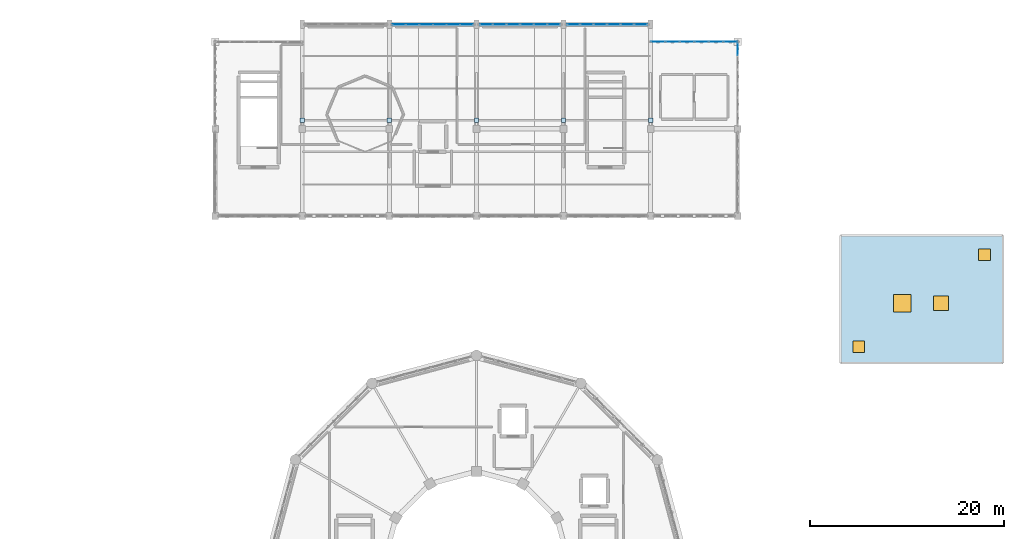
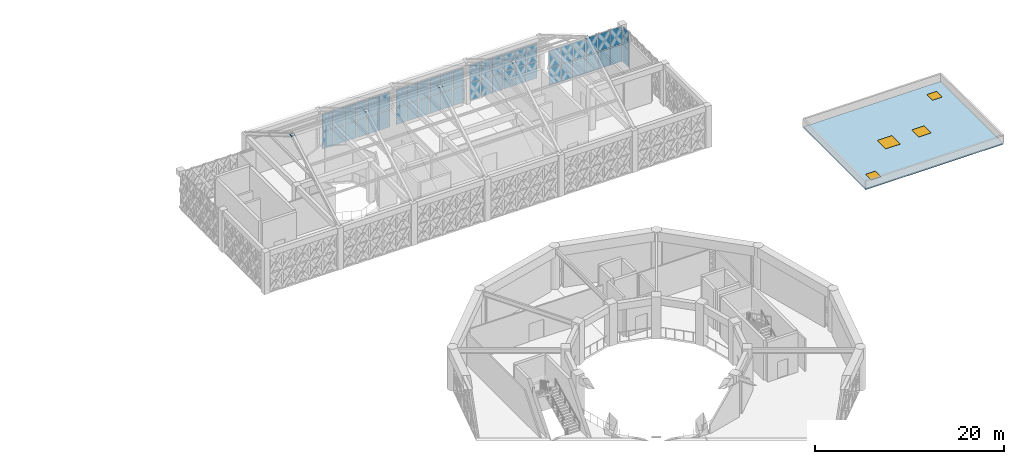
# One storey, part 63 of 72: 55 plates, 2 doors, 2 windows, 1 slab, 4 openings, 5 elements without a shape of their own.
"""IFC4 building model written with IfcOpenShell, lengths in metres."""

from ifc_helpers import new_model, si_unit, direction, frame, origin, origin_2d, place, context, subcontext, project, spatial, polyline, rectangle, outline, extrude, material, layer, layer_set, type_object, element, fill, aggregate, save


model = new_model("IFC4")

# Units and contexts
model_context = context("Model", 3, precision=1e-05, world=origin(), true_north=direction((0.0, 1.0)))
body_context = subcontext(model_context, "Body", "Model", "MODEL_VIEW")
ifc_project = project(units=[si_unit("LENGTHUNIT", "METRE"), si_unit("AREAUNIT", "SQUARE_METRE"), si_unit("VOLUMEUNIT", "CUBIC_METRE"), si_unit("PLANEANGLEUNIT", "RADIAN"), si_unit("MASSUNIT", "GRAM", prefix="KILO")], contexts=[model_context])

# Site, building, storey
site_placement = place(None, origin())
site = spatial("IfcSite", under=ifc_project, at=site_placement, CompositionType="ELEMENT")
building_placement = place(site_placement, origin())
building = spatial("IfcBuilding", under=site, at=building_placement, Name="Haizhuo Lancet Aquarium", CompositionType="ELEMENT")
storey_placement = place(building_placement, frame((0.0, 0.0, 21.60009765625)))
storey = spatial("IfcBuildingStorey", under=building, at=storey_placement, Name="L04", CompositionType="ELEMENT", Elevation=21.60009765625)

# Curtain wall, plates
ifc_material_1 = material(Name="Aluminium 6063-T6", Category="aluminium")
curtain_wall_type_1 = type_object("IfcCurtainWallType", Name="CWD-9000x4650", PredefinedType="NOTDEFINED", material=ifc_material_1)
curtain_wall_1_placement = place(storey_placement, origin())
curtain_wall_1 = element("IfcCurtainWall", 1, at=curtain_wall_1_placement, inside=storey, type_object=curtain_wall_type_1, Name="L04 curtain wall CW-V5-L04-181", PredefinedType="NOTDEFINED")
ifc_material_2 = material(Name="Laminated Low-E Glass", Category="glass")
ifc_layer_1 = layer(ifc_material_2, 0.028076171875)
ifc_layer_set_1 = layer_set([ifc_layer_1], Name="Laminated Low-E Glass")
plate_type_1 = type_object("IfcPlateType", Name="CW-PNL-1", PredefinedType="CURTAIN_PANEL", material=ifc_layer_set_1)
plate_1_placement = place(storey_placement, frame((18.76611328125, 54.0, 0.06494140625), z_axis=(0.0, 0.0, 1.0), x_axis=(1.0, 0.0, 0.0)))
plate_1 = element("IfcPlate", 2, at=plate_1_placement, type_object=plate_type_1, Name="CWD-90x46 panel 1.1", PredefinedType="CURTAIN_PANEL", context=body_context, shape_type="SweptSolid", body=[
    extrude(rectangle(XDim=1.403076171875, YDim=0.028076171875, at=origin_2d()), origin(), (0.0, 0.0, 1.0), 2.22802734375),
])
plate_2_placement = place(storey_placement, frame((18.76611328125, 54.0, 2.35693359375), z_axis=(0.0, 0.0, 1.0), x_axis=(1.0, 0.0, 0.0)))
plate_2 = element("IfcPlate", 3, at=plate_2_placement, type_object=plate_type_1, Name="CWD-90x46 panel 1.2", PredefinedType="CURTAIN_PANEL", context=body_context, shape_type="SweptSolid", body=[
    extrude(rectangle(XDim=1.403076171875, YDim=0.028076171875, at=origin_2d()), origin(), (0.0, 0.0, 1.0), 2.22802734375),
])
plate_3_placement = place(storey_placement, frame((20.25, 54.0, 0.06494140625), z_axis=(0.0, 0.0, 1.0), x_axis=(1.0, 0.0, 0.0)))
plate_3 = element("IfcPlate", 4, at=plate_3_placement, type_object=plate_type_1, Name="CWD-90x46 panel 2.1", PredefinedType="CURTAIN_PANEL", context=body_context, shape_type="SweptSolid", body=[
    extrude(rectangle(XDim=1.43505859375, YDim=0.028076171875, at=origin_2d()), origin(), (0.0, 0.0, 1.0), 2.22802734375),
])
plate_4_placement = place(storey_placement, frame((20.25, 54.0, 2.35693359375), z_axis=(0.0, 0.0, 1.0), x_axis=(1.0, 0.0, 0.0)))
plate_4 = element("IfcPlate", 5, at=plate_4_placement, type_object=plate_type_1, Name="CWD-90x46 panel 2.2", PredefinedType="CURTAIN_PANEL", context=body_context, shape_type="SweptSolid", body=[
    extrude(rectangle(XDim=1.43505859375, YDim=0.028076171875, at=origin_2d()), origin(), (0.0, 0.0, 1.0), 2.22802734375),
])
plate_5_placement = place(storey_placement, frame((21.75, 54.0, 0.06494140625), z_axis=(0.0, 0.0, 1.0), x_axis=(1.0, 0.0, 0.0)))
plate_5 = element("IfcPlate", 6, at=plate_5_placement, type_object=plate_type_1, Name="CWD-90x46 panel 3.1", PredefinedType="CURTAIN_PANEL", context=body_context, shape_type="SweptSolid", body=[
    extrude(rectangle(XDim=1.43505859375, YDim=0.028076171875, at=origin_2d()), origin(), (0.0, 0.0, 1.0), 2.22802734375),
])
plate_6_placement = place(storey_placement, frame((21.75, 54.0, 2.35693359375), z_axis=(0.0, 0.0, 1.0), x_axis=(1.0, 0.0, 0.0)))
plate_6 = element("IfcPlate", 7, at=plate_6_placement, type_object=plate_type_1, Name="CWD-90x46 panel 3.2", PredefinedType="CURTAIN_PANEL", context=body_context, shape_type="SweptSolid", body=[
    extrude(rectangle(XDim=1.43505859375, YDim=0.028076171875, at=origin_2d()), origin(), (0.0, 0.0, 1.0), 2.22802734375),
])
plate_7_placement = place(storey_placement, frame((23.25, 54.0, 0.06494140625), z_axis=(0.0, 0.0, 1.0), x_axis=(1.0, 0.0, 0.0)))
plate_7 = element("IfcPlate", 8, at=plate_7_placement, type_object=plate_type_1, Name="CWD-90x46 panel 4.1", PredefinedType="CURTAIN_PANEL", context=body_context, shape_type="SweptSolid", body=[
    extrude(rectangle(XDim=1.43505859375, YDim=0.028076171875, at=origin_2d()), origin(), (0.0, 0.0, 1.0), 2.22802734375),
])
plate_8_placement = place(storey_placement, frame((23.25, 54.0, 2.35693359375), z_axis=(0.0, 0.0, 1.0), x_axis=(1.0, 0.0, 0.0)))
plate_8 = element("IfcPlate", 9, at=plate_8_placement, type_object=plate_type_1, Name="CWD-90x46 panel 4.2", PredefinedType="CURTAIN_PANEL", context=body_context, shape_type="SweptSolid", body=[
    extrude(rectangle(XDim=1.43505859375, YDim=0.028076171875, at=origin_2d()), origin(), (0.0, 0.0, 1.0), 2.22802734375),
])
plate_9_placement = place(storey_placement, frame((24.75, 54.0, 0.06494140625), z_axis=(0.0, 0.0, 1.0), x_axis=(1.0, 0.0, 0.0)))
plate_9 = element("IfcPlate", 10, at=plate_9_placement, type_object=plate_type_1, Name="CWD-90x46 panel 5.1", PredefinedType="CURTAIN_PANEL", context=body_context, shape_type="SweptSolid", body=[
    extrude(rectangle(XDim=1.43505859375, YDim=0.028076171875, at=origin_2d()), origin(), (0.0, 0.0, 1.0), 2.22802734375),
])
plate_10_placement = place(storey_placement, frame((24.75, 54.0, 2.35693359375), z_axis=(0.0, 0.0, 1.0), x_axis=(1.0, 0.0, 0.0)))
plate_10 = element("IfcPlate", 11, at=plate_10_placement, type_object=plate_type_1, Name="CWD-90x46 panel 5.2", PredefinedType="CURTAIN_PANEL", context=body_context, shape_type="SweptSolid", body=[
    extrude(rectangle(XDim=1.43505859375, YDim=0.028076171875, at=origin_2d()), origin(), (0.0, 0.0, 1.0), 2.22802734375),
])
plate_11_placement = place(storey_placement, frame((26.23388671875, 54.0, 0.06494140625), z_axis=(0.0, 0.0, 1.0), x_axis=(1.0, 0.0, 0.0)))
plate_11 = element("IfcPlate", 12, at=plate_11_placement, type_object=plate_type_1, Name="CWD-90x46 panel 6.1", PredefinedType="CURTAIN_PANEL", context=body_context, shape_type="SweptSolid", body=[
    extrude(rectangle(XDim=1.402099609375, YDim=0.028076171875, at=origin_2d()), origin(), (0.0, 0.0, 1.0), 2.22802734375),
])
plate_12_placement = place(storey_placement, frame((26.23388671875, 54.0, 2.35693359375), z_axis=(0.0, 0.0, 1.0), x_axis=(1.0, 0.0, 0.0)))
plate_12 = element("IfcPlate", 13, at=plate_12_placement, type_object=plate_type_1, Name="CWD-90x46 panel 6.2", PredefinedType="CURTAIN_PANEL", context=body_context, shape_type="SweptSolid", body=[
    extrude(rectangle(XDim=1.402099609375, YDim=0.028076171875, at=origin_2d()), origin(), (0.0, 0.0, 1.0), 2.22802734375),
])
aggregate(curtain_wall_1, [plate_1, plate_2, plate_3, plate_4, plate_5, plate_6, plate_7, plate_8, plate_9, plate_10, plate_11, plate_12])

curtain_wall_type_2 = type_object("IfcCurtainWallType", Name="CWD-8410x4650", PredefinedType="NOTDEFINED", material=ifc_material_1)
curtain_wall_2_placement = place(storey_placement, origin())
curtain_wall_2 = element("IfcCurtainWall", 14, at=curtain_wall_2_placement, inside=storey, type_object=curtain_wall_type_2, Name="L04 curtain wall CW-V5-L04-178", PredefinedType="NOTDEFINED")
ifc_layer_2 = layer(ifc_material_2, 0.033935546875)
ifc_layer_set_2 = layer_set([ifc_layer_2], Name="Laminated Low-E Glass")
plate_type_2 = type_object("IfcPlateType", Name="CW-PNL-2", PredefinedType="CURTAIN_PANEL", material=ifc_layer_set_2)
plate_13_placement = place(storey_placement, frame((-7.988037109375, 55.800048828125, 0.06494140625), z_axis=(0.0, 0.0, 1.0), x_axis=(1.0, 0.0, 0.0)))
plate_13 = element("IfcPlate", 15, at=plate_13_placement, type_object=plate_type_2, Name="CWD-84x46 panel 1.1", PredefinedType="CURTAIN_PANEL", context=body_context, shape_type="SweptSolid", body=[
    extrude(rectangle(XDim=1.303955078125, YDim=0.033935546875, at=origin_2d()), origin(), (0.0, 0.0, 1.0), 2.22802734375),
])
plate_14_placement = place(storey_placement, frame((-7.988037109375, 55.800048828125, 2.35693359375), z_axis=(0.0, 0.0, 1.0), x_axis=(1.0, 0.0, 0.0)))
plate_14 = element("IfcPlate", 16, at=plate_14_placement, type_object=plate_type_2, Name="CWD-84x46 panel 1.2", PredefinedType="CURTAIN_PANEL", context=body_context, shape_type="SweptSolid", body=[
    extrude(rectangle(XDim=1.303955078125, YDim=0.033935546875, at=origin_2d()), origin(), (0.0, 0.0, 1.0), 2.22802734375),
])
plate_15_placement = place(storey_placement, frame((-6.60302734375, 55.800048828125, 0.06494140625), z_axis=(0.0, 0.0, 1.0), x_axis=(1.0, 0.0, 0.0)))
plate_15 = element("IfcPlate", 17, at=plate_15_placement, type_object=plate_type_2, Name="CWD-84x46 panel 2.1", PredefinedType="CURTAIN_PANEL", context=body_context, shape_type="SweptSolid", body=[
    extrude(rectangle(XDim=1.3369140625, YDim=0.033935546875, at=origin_2d()), origin(), (0.0, 0.0, 1.0), 2.22802734375),
])
plate_16_placement = place(storey_placement, frame((-6.60302734375, 55.800048828125, 2.35693359375), z_axis=(0.0, 0.0, 1.0), x_axis=(1.0, 0.0, 0.0)))
plate_16 = element("IfcPlate", 18, at=plate_16_placement, type_object=plate_type_2, Name="CWD-84x46 panel 2.2", PredefinedType="CURTAIN_PANEL", context=body_context, shape_type="SweptSolid", body=[
    extrude(rectangle(XDim=1.3369140625, YDim=0.033935546875, at=origin_2d()), origin(), (0.0, 0.0, 1.0), 2.22802734375),
])
plate_17_placement = place(storey_placement, frame((-5.200927734375, 55.800048828125, 0.06494140625), z_axis=(0.0, 0.0, 1.0), x_axis=(1.0, 0.0, 0.0)))
plate_17 = element("IfcPlate", 19, at=plate_17_placement, type_object=plate_type_2, Name="CWD-84x46 panel 3.1", PredefinedType="CURTAIN_PANEL", context=body_context, shape_type="SweptSolid", body=[
    extrude(rectangle(XDim=1.3369140625, YDim=0.033935546875, at=origin_2d()), origin(), (0.0, 0.0, 1.0), 2.22802734375),
])
plate_18_placement = place(storey_placement, frame((-5.200927734375, 55.800048828125, 2.35693359375), z_axis=(0.0, 0.0, 1.0), x_axis=(1.0, 0.0, 0.0)))
plate_18 = element("IfcPlate", 20, at=plate_18_placement, type_object=plate_type_2, Name="CWD-84x46 panel 3.2", PredefinedType="CURTAIN_PANEL", context=body_context, shape_type="SweptSolid", body=[
    extrude(rectangle(XDim=1.3369140625, YDim=0.033935546875, at=origin_2d()), origin(), (0.0, 0.0, 1.0), 2.22802734375),
])
plate_19_placement = place(storey_placement, frame((-3.799072265625, 55.800048828125, 0.06494140625), z_axis=(0.0, 0.0, 1.0), x_axis=(1.0, 0.0, 0.0)))
plate_19 = element("IfcPlate", 21, at=plate_19_placement, type_object=plate_type_2, Name="CWD-84x46 panel 4.1", PredefinedType="CURTAIN_PANEL", context=body_context, shape_type="SweptSolid", body=[
    extrude(rectangle(XDim=1.3369140625, YDim=0.033935546875, at=origin_2d()), origin(), (0.0, 0.0, 1.0), 2.22802734375),
])
plate_20_placement = place(storey_placement, frame((-3.799072265625, 55.800048828125, 2.35693359375), z_axis=(0.0, 0.0, 1.0), x_axis=(1.0, 0.0, 0.0)))
plate_20 = element("IfcPlate", 22, at=plate_20_placement, type_object=plate_type_2, Name="CWD-84x46 panel 4.2", PredefinedType="CURTAIN_PANEL", context=body_context, shape_type="SweptSolid", body=[
    extrude(rectangle(XDim=1.3369140625, YDim=0.033935546875, at=origin_2d()), origin(), (0.0, 0.0, 1.0), 2.22802734375),
])
plate_21_placement = place(storey_placement, frame((-2.39794921875, 55.800048828125, 0.06494140625), z_axis=(0.0, 0.0, 1.0), x_axis=(1.0, 0.0, 0.0)))
plate_21 = element("IfcPlate", 23, at=plate_21_placement, type_object=plate_type_2, Name="CWD-84x46 panel 5.1", PredefinedType="CURTAIN_PANEL", context=body_context, shape_type="SweptSolid", body=[
    extrude(rectangle(XDim=1.3369140625, YDim=0.033935546875, at=origin_2d()), origin(), (0.0, 0.0, 1.0), 2.22802734375),
])
plate_22_placement = place(storey_placement, frame((-2.39794921875, 55.800048828125, 2.35693359375), z_axis=(0.0, 0.0, 1.0), x_axis=(1.0, 0.0, 0.0)))
plate_22 = element("IfcPlate", 24, at=plate_22_placement, type_object=plate_type_2, Name="CWD-84x46 panel 5.2", PredefinedType="CURTAIN_PANEL", context=body_context, shape_type="SweptSolid", body=[
    extrude(rectangle(XDim=1.3369140625, YDim=0.033935546875, at=origin_2d()), origin(), (0.0, 0.0, 1.0), 2.22802734375),
])
plate_23_placement = place(storey_placement, frame((-1.011962890625, 55.800048828125, 0.06494140625), z_axis=(0.0, 0.0, 1.0), x_axis=(1.0, 0.0, 0.0)))
plate_23 = element("IfcPlate", 25, at=plate_23_placement, type_object=plate_type_2, Name="CWD-84x46 panel 6.1", PredefinedType="CURTAIN_PANEL", context=body_context, shape_type="SweptSolid", body=[
    extrude(rectangle(XDim=1.303955078125, YDim=0.033935546875, at=origin_2d()), origin(), (0.0, 0.0, 1.0), 2.22802734375),
])
plate_24_placement = place(storey_placement, frame((-1.011962890625, 55.800048828125, 2.35693359375), z_axis=(0.0, 0.0, 1.0), x_axis=(1.0, 0.0, 0.0)))
plate_24 = element("IfcPlate", 26, at=plate_24_placement, type_object=plate_type_2, Name="CWD-84x46 panel 6.2", PredefinedType="CURTAIN_PANEL", context=body_context, shape_type="SweptSolid", body=[
    extrude(rectangle(XDim=1.303955078125, YDim=0.033935546875, at=origin_2d()), origin(), (0.0, 0.0, 1.0), 2.22802734375),
])
aggregate(curtain_wall_2, [plate_13, plate_14, plate_15, plate_16, plate_17, plate_18, plate_19, plate_20, plate_21, plate_22, plate_23, plate_24])

curtain_wall_type_3 = type_object("IfcCurtainWallType", Name="CWD-8600x4700", PredefinedType="NOTDEFINED", material=ifc_material_1)
curtain_wall_3_placement = place(storey_placement, origin())
curtain_wall_3 = element("IfcCurtainWall", 27, at=curtain_wall_3_placement, inside=storey, type_object=curtain_wall_type_3, Name="L04 curtain wall CW-V5-L04-182", PredefinedType="NOTDEFINED")
plate_25_placement = place(storey_placement, frame((27.0, 53.263916015625, 0.0751953125), z_axis=(0.0, 0.0, 1.0), x_axis=(0.0, -1.0, 0.0)))
plate_25 = element("IfcPlate", 28, at=plate_25_placement, type_object=plate_type_2, Name="CWD-86x47 panel 1.1", PredefinedType="CURTAIN_PANEL", context=body_context, shape_type="SweptSolid", body=[
    extrude(rectangle(XDim=1.322021484375, YDim=0.033935546875, at=origin_2d()), origin(), (0.0, 0.0, 1.0), 2.237060546875),
])
plate_26_placement = place(storey_placement, frame((27.0, 53.263916015625, 2.38720703125), z_axis=(0.0, 0.0, 1.0), x_axis=(0.0, -1.0, 0.0)))
plate_26 = element("IfcPlate", 29, at=plate_26_placement, type_object=plate_type_2, Name="CWD-86x47 panel 1.2", PredefinedType="CURTAIN_PANEL", context=body_context, shape_type="SweptSolid", body=[
    extrude(rectangle(XDim=1.322021484375, YDim=0.033935546875, at=origin_2d()), origin(), (0.0, 0.0, 1.0), 2.237060546875),
])
aggregate(curtain_wall_3, [plate_25, plate_26])

curtain_wall_4_placement = place(storey_placement, origin())
curtain_wall_4 = element("IfcCurtainWall", 30, at=curtain_wall_4_placement, inside=storey, type_object=curtain_wall_type_2, Name="L04 curtain wall CW-V5-L04-179", PredefinedType="NOTDEFINED")
ifc_layer_3 = layer(ifc_material_2, 0.0419921875)
ifc_layer_set_3 = layer_set([ifc_layer_3], Name="Laminated Low-E Glass")
plate_type_3 = type_object("IfcPlateType", Name="CW-PNL-3", PredefinedType="CURTAIN_PANEL", material=ifc_layer_set_3)
plate_27_placement = place(storey_placement, frame((1.014892578125, 55.800048828125, 0.074951171875), z_axis=(0.0, 0.0, 1.0), x_axis=(1.0, 0.0, 0.0)))
plate_27 = element("IfcPlate", 31, at=plate_27_placement, type_object=plate_type_3, Name="CWD-84x46 panel 1.1", PredefinedType="CURTAIN_PANEL", context=body_context, shape_type="SweptSolid", body=[
    extrude(rectangle(XDim=1.2890625, YDim=0.0419921875, at=origin_2d()), origin(), (0.0, 0.0, 1.0), 2.2119140625),
])
plate_28_placement = place(storey_placement, frame((1.014892578125, 55.800048828125, 2.363037109375), z_axis=(0.0, 0.0, 1.0), x_axis=(1.0, 0.0, 0.0)))
plate_28 = element("IfcPlate", 32, at=plate_28_placement, type_object=plate_type_3, Name="CWD-84x46 panel 1.2", PredefinedType="CURTAIN_PANEL", context=body_context, shape_type="SweptSolid", body=[
    extrude(rectangle(XDim=1.2890625, YDim=0.0419921875, at=origin_2d()), origin(), (0.0, 0.0, 1.0), 2.2119140625),
])
plate_29_placement = place(storey_placement, frame((2.39697265625, 55.800048828125, 0.074951171875), z_axis=(0.0, 0.0, 1.0), x_axis=(1.0, 0.0, 0.0)))
plate_29 = element("IfcPlate", 33, at=plate_29_placement, type_object=plate_type_3, Name="CWD-84x46 panel 2.1", PredefinedType="CURTAIN_PANEL", context=body_context, shape_type="SweptSolid", body=[
    extrude(rectangle(XDim=1.326904296875, YDim=0.0419921875, at=origin_2d()), origin(), (0.0, 0.0, 1.0), 2.2119140625),
])
plate_30_placement = place(storey_placement, frame((2.39697265625, 55.800048828125, 2.363037109375), z_axis=(0.0, 0.0, 1.0), x_axis=(1.0, 0.0, 0.0)))
plate_30 = element("IfcPlate", 34, at=plate_30_placement, type_object=plate_type_3, Name="CWD-84x46 panel 2.2", PredefinedType="CURTAIN_PANEL", context=body_context, shape_type="SweptSolid", body=[
    extrude(rectangle(XDim=1.326904296875, YDim=0.0419921875, at=origin_2d()), origin(), (0.0, 0.0, 1.0), 2.2119140625),
])
plate_31_placement = place(storey_placement, frame((3.799072265625, 55.800048828125, 0.074951171875), z_axis=(0.0, 0.0, 1.0), x_axis=(1.0, 0.0, 0.0)))
plate_31 = element("IfcPlate", 35, at=plate_31_placement, type_object=plate_type_3, Name="CWD-84x46 panel 3.1", PredefinedType="CURTAIN_PANEL", context=body_context, shape_type="SweptSolid", body=[
    extrude(rectangle(XDim=1.326904296875, YDim=0.0419921875, at=origin_2d()), origin(), (0.0, 0.0, 1.0), 2.2119140625),
])
plate_32_placement = place(storey_placement, frame((3.799072265625, 55.800048828125, 2.363037109375), z_axis=(0.0, 0.0, 1.0), x_axis=(1.0, 0.0, 0.0)))
plate_32 = element("IfcPlate", 36, at=plate_32_placement, type_object=plate_type_3, Name="CWD-84x46 panel 3.2", PredefinedType="CURTAIN_PANEL", context=body_context, shape_type="SweptSolid", body=[
    extrude(rectangle(XDim=1.326904296875, YDim=0.0419921875, at=origin_2d()), origin(), (0.0, 0.0, 1.0), 2.2119140625),
])
plate_33_placement = place(storey_placement, frame((5.200927734375, 55.800048828125, 0.074951171875), z_axis=(0.0, 0.0, 1.0), x_axis=(1.0, 0.0, 0.0)))
plate_33 = element("IfcPlate", 37, at=plate_33_placement, type_object=plate_type_3, Name="CWD-84x46 panel 4.1", PredefinedType="CURTAIN_PANEL", context=body_context, shape_type="SweptSolid", body=[
    extrude(rectangle(XDim=1.326904296875, YDim=0.0419921875, at=origin_2d()), origin(), (0.0, 0.0, 1.0), 2.2119140625),
])
plate_34_placement = place(storey_placement, frame((5.200927734375, 55.800048828125, 2.363037109375), z_axis=(0.0, 0.0, 1.0), x_axis=(1.0, 0.0, 0.0)))
plate_34 = element("IfcPlate", 38, at=plate_34_placement, type_object=plate_type_3, Name="CWD-84x46 panel 4.2", PredefinedType="CURTAIN_PANEL", context=body_context, shape_type="SweptSolid", body=[
    extrude(rectangle(XDim=1.326904296875, YDim=0.0419921875, at=origin_2d()), origin(), (0.0, 0.0, 1.0), 2.2119140625),
])
plate_35_placement = place(storey_placement, frame((6.60205078125, 55.800048828125, 0.074951171875), z_axis=(0.0, 0.0, 1.0), x_axis=(1.0, 0.0, 0.0)))
plate_35 = element("IfcPlate", 39, at=plate_35_placement, type_object=plate_type_3, Name="CWD-84x46 panel 5.1", PredefinedType="CURTAIN_PANEL", context=body_context, shape_type="SweptSolid", body=[
    extrude(rectangle(XDim=1.326904296875, YDim=0.0419921875, at=origin_2d()), origin(), (0.0, 0.0, 1.0), 2.2119140625),
])
plate_36_placement = place(storey_placement, frame((6.60205078125, 55.800048828125, 2.363037109375), z_axis=(0.0, 0.0, 1.0), x_axis=(1.0, 0.0, 0.0)))
plate_36 = element("IfcPlate", 40, at=plate_36_placement, type_object=plate_type_3, Name="CWD-84x46 panel 5.2", PredefinedType="CURTAIN_PANEL", context=body_context, shape_type="SweptSolid", body=[
    extrude(rectangle(XDim=1.326904296875, YDim=0.0419921875, at=origin_2d()), origin(), (0.0, 0.0, 1.0), 2.2119140625),
])
plate_37_placement = place(storey_placement, frame((7.985107421875, 55.800048828125, 0.074951171875), z_axis=(0.0, 0.0, 1.0), x_axis=(1.0, 0.0, 0.0)))
plate_37 = element("IfcPlate", 41, at=plate_37_placement, type_object=plate_type_3, Name="CWD-84x46 panel 6.1", PredefinedType="CURTAIN_PANEL", context=body_context, shape_type="SweptSolid", body=[
    extrude(rectangle(XDim=1.2890625, YDim=0.0419921875, at=origin_2d()), origin(), (0.0, 0.0, 1.0), 2.2119140625),
])
plate_38_placement = place(storey_placement, frame((7.985107421875, 55.800048828125, 2.363037109375), z_axis=(0.0, 0.0, 1.0), x_axis=(1.0, 0.0, 0.0)))
plate_38 = element("IfcPlate", 42, at=plate_38_placement, type_object=plate_type_3, Name="CWD-84x46 panel 6.2", PredefinedType="CURTAIN_PANEL", context=body_context, shape_type="SweptSolid", body=[
    extrude(rectangle(XDim=1.2890625, YDim=0.0419921875, at=origin_2d()), origin(), (0.0, 0.0, 1.0), 2.2119140625),
])
aggregate(curtain_wall_4, [plate_27, plate_28, plate_29, plate_30, plate_31, plate_32, plate_33, plate_34, plate_35, plate_36, plate_37, plate_38])

curtain_wall_5_placement = place(storey_placement, origin())
curtain_wall_5 = element("IfcCurtainWall", 43, at=curtain_wall_5_placement, inside=storey, type_object=curtain_wall_type_2, Name="L04 curtain wall CW-V5-L04-180", PredefinedType="NOTDEFINED")
ifc_layer_4 = layer(ifc_material_2, 0.052001953125)
ifc_layer_set_4 = layer_set([ifc_layer_4], Name="Laminated Low-E Glass")
plate_type_4 = type_object("IfcPlateType", Name="CW-PNL-4", PredefinedType="CURTAIN_PANEL", material=ifc_layer_set_4)
plate_39_placement = place(storey_placement, frame((10.01611328125, 55.800048828125, 0.079345703125), z_axis=(0.0, 0.0, 1.0), x_axis=(1.0, 0.0, 0.0)))
plate_39 = element("IfcPlate", 44, at=plate_39_placement, type_object=plate_type_4, Name="CWD-84x46 panel 1.1", PredefinedType="CURTAIN_PANEL", context=body_context, shape_type="SweptSolid", body=[
    extrude(rectangle(XDim=1.281982421875, YDim=0.052001953125, at=origin_2d()), origin(), (0.0, 0.0, 1.0), 2.205078125),
])
plate_40_placement = place(storey_placement, frame((10.01611328125, 55.800048828125, 2.365478515625), z_axis=(0.0, 0.0, 1.0), x_axis=(1.0, 0.0, 0.0)))
plate_40 = element("IfcPlate", 45, at=plate_40_placement, type_object=plate_type_4, Name="CWD-84x46 panel 1.2", PredefinedType="CURTAIN_PANEL", context=body_context, shape_type="SweptSolid", body=[
    extrude(rectangle(XDim=1.281982421875, YDim=0.052001953125, at=origin_2d()), origin(), (0.0, 0.0, 1.0), 2.205078125),
])
plate_41_placement = place(storey_placement, frame((11.39697265625, 55.800048828125, 0.079345703125), z_axis=(0.0, 0.0, 1.0), x_axis=(1.0, 0.0, 0.0)))
plate_41 = element("IfcPlate", 46, at=plate_41_placement, type_object=plate_type_4, Name="CWD-84x46 panel 2.1", PredefinedType="CURTAIN_PANEL", context=body_context, shape_type="SweptSolid", body=[
    extrude(rectangle(XDim=1.322021484375, YDim=0.052001953125, at=origin_2d()), origin(), (0.0, 0.0, 1.0), 2.205078125),
])
plate_42_placement = place(storey_placement, frame((11.39697265625, 55.800048828125, 2.365478515625), z_axis=(0.0, 0.0, 1.0), x_axis=(1.0, 0.0, 0.0)))
plate_42 = element("IfcPlate", 47, at=plate_42_placement, type_object=plate_type_4, Name="CWD-84x46 panel 2.2", PredefinedType="CURTAIN_PANEL", context=body_context, shape_type="SweptSolid", body=[
    extrude(rectangle(XDim=1.322021484375, YDim=0.052001953125, at=origin_2d()), origin(), (0.0, 0.0, 1.0), 2.205078125),
])
plate_43_placement = place(storey_placement, frame((12.799072265625, 55.800048828125, 0.079345703125), z_axis=(0.0, 0.0, 1.0), x_axis=(1.0, 0.0, 0.0)))
plate_43 = element("IfcPlate", 48, at=plate_43_placement, type_object=plate_type_4, Name="CWD-84x46 panel 3.1", PredefinedType="CURTAIN_PANEL", context=body_context, shape_type="SweptSolid", body=[
    extrude(rectangle(XDim=1.322021484375, YDim=0.052001953125, at=origin_2d()), origin(), (0.0, 0.0, 1.0), 2.205078125),
])
plate_44_placement = place(storey_placement, frame((12.799072265625, 55.800048828125, 2.365478515625), z_axis=(0.0, 0.0, 1.0), x_axis=(1.0, 0.0, 0.0)))
plate_44 = element("IfcPlate", 49, at=plate_44_placement, type_object=plate_type_4, Name="CWD-84x46 panel 3.2", PredefinedType="CURTAIN_PANEL", context=body_context, shape_type="SweptSolid", body=[
    extrude(rectangle(XDim=1.322021484375, YDim=0.052001953125, at=origin_2d()), origin(), (0.0, 0.0, 1.0), 2.205078125),
])
plate_45_placement = place(storey_placement, frame((14.200927734375, 55.800048828125, 0.079345703125), z_axis=(0.0, 0.0, 1.0), x_axis=(1.0, 0.0, 0.0)))
plate_45 = element("IfcPlate", 50, at=plate_45_placement, type_object=plate_type_4, Name="CWD-84x46 panel 4.1", PredefinedType="CURTAIN_PANEL", context=body_context, shape_type="SweptSolid", body=[
    extrude(rectangle(XDim=1.322021484375, YDim=0.052001953125, at=origin_2d()), origin(), (0.0, 0.0, 1.0), 2.205078125),
])
plate_46_placement = place(storey_placement, frame((14.200927734375, 55.800048828125, 2.365478515625), z_axis=(0.0, 0.0, 1.0), x_axis=(1.0, 0.0, 0.0)))
plate_46 = element("IfcPlate", 51, at=plate_46_placement, type_object=plate_type_4, Name="CWD-84x46 panel 4.2", PredefinedType="CURTAIN_PANEL", context=body_context, shape_type="SweptSolid", body=[
    extrude(rectangle(XDim=1.322021484375, YDim=0.052001953125, at=origin_2d()), origin(), (0.0, 0.0, 1.0), 2.205078125),
])
plate_47_placement = place(storey_placement, frame((15.60205078125, 55.800048828125, 0.079345703125), z_axis=(0.0, 0.0, 1.0), x_axis=(1.0, 0.0, 0.0)))
plate_47 = element("IfcPlate", 52, at=plate_47_placement, type_object=plate_type_4, Name="CWD-84x46 panel 5.1", PredefinedType="CURTAIN_PANEL", context=body_context, shape_type="SweptSolid", body=[
    extrude(rectangle(XDim=1.322021484375, YDim=0.052001953125, at=origin_2d()), origin(), (0.0, 0.0, 1.0), 2.205078125),
])
plate_48_placement = place(storey_placement, frame((15.60205078125, 55.800048828125, 2.365478515625), z_axis=(0.0, 0.0, 1.0), x_axis=(1.0, 0.0, 0.0)))
plate_48 = element("IfcPlate", 53, at=plate_48_placement, type_object=plate_type_4, Name="CWD-84x46 panel 5.2", PredefinedType="CURTAIN_PANEL", context=body_context, shape_type="SweptSolid", body=[
    extrude(rectangle(XDim=1.322021484375, YDim=0.052001953125, at=origin_2d()), origin(), (0.0, 0.0, 1.0), 2.205078125),
])
plate_49_placement = place(storey_placement, frame((16.98388671875, 55.800048828125, 0.079345703125), z_axis=(0.0, 0.0, 1.0), x_axis=(1.0, 0.0, 0.0)))
plate_49 = element("IfcPlate", 54, at=plate_49_placement, type_object=plate_type_4, Name="CWD-84x46 panel 6.1", PredefinedType="CURTAIN_PANEL", context=body_context, shape_type="SweptSolid", body=[
    extrude(rectangle(XDim=1.281982421875, YDim=0.052001953125, at=origin_2d()), origin(), (0.0, 0.0, 1.0), 2.205078125),
])
plate_50_placement = place(storey_placement, frame((16.98388671875, 55.800048828125, 2.365478515625), z_axis=(0.0, 0.0, 1.0), x_axis=(1.0, 0.0, 0.0)))
plate_50 = element("IfcPlate", 55, at=plate_50_placement, type_object=plate_type_4, Name="CWD-84x46 panel 6.2", PredefinedType="CURTAIN_PANEL", context=body_context, shape_type="SweptSolid", body=[
    extrude(rectangle(XDim=1.281982421875, YDim=0.052001953125, at=origin_2d()), origin(), (0.0, 0.0, 1.0), 2.205078125),
])
aggregate(curtain_wall_5, [plate_39, plate_40, plate_41, plate_42, plate_43, plate_44, plate_45, plate_46, plate_47, plate_48, plate_49, plate_50])

# Plates
ifc_material_3 = material(Name="Steel S355", Category="steel")
ifc_layer_5 = layer(ifc_material_3, 0.01611328125)
ifc_layer_set_5 = layer_set([ifc_layer_5], Name="Steel S355")
plate_type_5 = type_object("IfcPlateType", Name="PLT-COV-16", PredefinedType="USERDEFINED", material=ifc_layer_set_5)
for number, where, z_axis, x_axis, name in (
    (56, (-9.0, 45.89990234375, 11.19775390625), (0.0, 0.0, 1.0), (1.0, 0.0, 0.0), "V5 apex gusset connection plate 2"),
    (57, (9.0, 45.89990234375, 11.19775390625), (0.0, 0.0, 1.0), (1.0, 0.0, 0.0), "V5 apex gusset connection plate 4"),
):
    element("IfcPlate", number, at=place(storey_placement, frame(where, z_axis=z_axis, x_axis=x_axis)), inside=storey, type_object=plate_type_5, Name=name, ObjectType="COVER_PLATE", PredefinedType="USERDEFINED", context=body_context, shape_type="SweptSolid", body=[
        extrude(rectangle(XDim=0.449951171875, YDim=0.449951171875, at=origin_2d()), origin(), (0.0, 0.0, 1.0), 0.01611328125),
    ])
ifc_layer_6 = layer(ifc_material_3, 0.02001953125)
ifc_layer_set_6 = layer_set([ifc_layer_6], Name="Steel S355")
plate_type_6 = type_object("IfcPlateType", Name="PLT-STF-20", PredefinedType="USERDEFINED", material=ifc_layer_set_6)
for number, where, z_axis, x_axis, name in (
    (58, (-18.0, 45.89990234375, 11.19580078125), (0.0, 0.0, 1.0), (1.0, 0.0, 0.0), "V5 apex gusset connection plate 1"),
    (59, (0.0, 45.89990234375, 11.19580078125), (0.0, 0.0, 1.0), (1.0, 0.0, 0.0), "V5 apex gusset connection plate 3"),
    (60, (18.0, 45.89990234375, 11.19580078125), (0.0, 0.0, 1.0), (1.0, 0.0, 0.0), "V5 apex gusset connection plate 5"),
):
    element("IfcPlate", number, at=place(storey_placement, frame(where, z_axis=z_axis, x_axis=x_axis)), inside=storey, type_object=plate_type_6, Name=name, ObjectType="STIFFENER_PLATE", PredefinedType="USERDEFINED", context=body_context, shape_type="SweptSolid", body=[
        extrude(rectangle(XDim=0.449951171875, YDim=0.449951171875, at=origin_2d()), origin(), (0.0, 0.0, 1.0), 0.02001953125),
    ])

# Slab, openings, doors, windows
ifc_material_4 = material(Name="Concrete C40/50", Category="concrete")
ifc_layer_7 = layer(ifc_material_4, 0.14990234375)
ifc_layer_set_7 = layer_set([ifc_layer_7], Name="Concrete C40/50")
slab_type = type_object("IfcSlabType", Name="SLB-CANOPY-150", PredefinedType="ROOF", material=ifc_layer_set_7)
slab_placement = place(storey_placement, frame((0.0, 0.0, -0.150146484375)))
slab = element("IfcSlab", 61, at=slab_placement, inside=storey, type_object=slab_type, Name="L04 structural slab SL-L04-V7-PH-01", PredefinedType="ROOF", context=body_context, shape_type="SweptSolid", body=[
    extrude(outline(polyline([(37.60009765625, 20.800048828125), (54.39990234375, 20.800048828125), (54.39990234375, 34.0), (37.60009765625, 34.0), (37.60009765625, 20.800048828125)])), origin(), (0.0, 0.0, 1.0), 0.150146484375),
])
opening_1_placement = place(slab_placement, frame((44.0, 27.0, 0.0)))
opening_1 = element("IfcOpeningElement", 62, at=opening_1_placement, cuts=slab, Name="Opening LDM-01", PredefinedType="OPENING", context=body_context, shape_type="SweptSolid", body=[
    extrude(rectangle(XDim=1.800048828125, YDim=1.800048828125, at=origin_2d()), origin(), (0.0, 0.0, 1.0), 0.150146484375),
])
opening_2_placement = place(slab_placement, frame((48.0, 27.0, 0.0)))
opening_2 = element("IfcOpeningElement", 63, at=opening_2_placement, cuts=slab, Name="Opening LDM-02", PredefinedType="OPENING", context=body_context, shape_type="SweptSolid", body=[
    extrude(rectangle(XDim=1.5, YDim=1.5, at=origin_2d()), origin(), (0.0, 0.0, 1.0), 0.150146484375),
])
opening_3_placement = place(slab_placement, frame((39.5, 22.5, 0.0)))
opening_3 = element("IfcOpeningElement", 64, at=opening_3_placement, cuts=slab, Name="Opening HD-01", PredefinedType="OPENING", context=body_context, shape_type="SweptSolid", body=[
    extrude(rectangle(XDim=1.199951171875, YDim=1.199951171875, at=origin_2d()), origin(), (0.0, 0.0, 1.0), 0.150146484375),
])
opening_4_placement = place(slab_placement, frame((52.5, 32.0, 0.0)))
opening_4 = element("IfcOpeningElement", 65, at=opening_4_placement, cuts=slab, Name="Opening HD-01", PredefinedType="OPENING", context=body_context, shape_type="SweptSolid", body=[
    extrude(rectangle(XDim=1.199951171875, YDim=1.199951171875, at=origin_2d()), origin(), (0.0, 0.0, 1.0), 0.150146484375),
])
door_type = type_object("IfcDoorType", Name="EDR-HATCH-1200x1200", OperationType="NOTDEFINED", PredefinedType="TRAPDOOR", material=ifc_material_3)
door_1_placement = place(opening_3_placement, frame((0.0, 0.0, 0.10009765625)))
door_1 = element("IfcDoor", 66, at=door_1_placement, inside=storey, type_object=door_type, Name="L04 roof opening HD-02", OperationType="SINGLE_SWING_LEFT", OverallHeight=1.199951171875, OverallWidth=1.199951171875, PredefinedType="TRAPDOOR", context=body_context, shape_type="SweptSolid", body=[
    extrude(rectangle(XDim=1.199951171875, YDim=1.199951171875, at=origin_2d()), origin(), (0.0, 0.0, 1.0), 0.050048828125),
])
fill(opening_3, door_1)
door_2_placement = place(opening_4_placement, frame((0.0, 0.0, 0.10009765625)))
door_2 = element("IfcDoor", 67, at=door_2_placement, inside=storey, type_object=door_type, Name="L04 roof opening HD-06", OperationType="SINGLE_SWING_LEFT", OverallHeight=1.199951171875, OverallWidth=1.199951171875, PredefinedType="TRAPDOOR", context=body_context, shape_type="SweptSolid", body=[
    extrude(rectangle(XDim=1.199951171875, YDim=1.199951171875, at=origin_2d()), origin(), (0.0, 0.0, 1.0), 0.050048828125),
])
fill(opening_4, door_2)
window_type_1 = type_object("IfcWindowType", Name="WIN-LDM-1500x1500", PartitioningType="SINGLE_PANEL", PredefinedType="LIGHTDOME", material=ifc_material_2)
window_1_placement = place(opening_2_placement, frame((0.0, 0.0, 0.10009765625)))
window_1 = element("IfcWindow", 68, at=window_1_placement, inside=storey, type_object=window_type_1, Name="L04 roof opening LDM-05", OverallHeight=1.5, OverallWidth=1.5, PartitioningType="SINGLE_PANEL", PredefinedType="LIGHTDOME", context=body_context, shape_type="SweptSolid", body=[
    extrude(rectangle(XDim=1.5, YDim=1.5, at=origin_2d()), origin(), (0.0, 0.0, 1.0), 0.050048828125),
])
fill(opening_2, window_1)
window_type_2 = type_object("IfcWindowType", Name="WIN-LDM-1800x1800", PartitioningType="SINGLE_PANEL", PredefinedType="LIGHTDOME", material=ifc_material_2)
window_2_placement = place(opening_1_placement, frame((0.0, 0.0, 0.10009765625)))
window_2 = element("IfcWindow", 69, at=window_2_placement, inside=storey, type_object=window_type_2, Name="L04 roof opening LDM-04", OverallHeight=1.800048828125, OverallWidth=1.800048828125, PartitioningType="SINGLE_PANEL", PredefinedType="LIGHTDOME", context=body_context, shape_type="SweptSolid", body=[
    extrude(rectangle(XDim=1.800048828125, YDim=1.800048828125, at=origin_2d()), origin(), (0.0, 0.0, 1.0), 0.050048828125),
])
fill(opening_1, window_2)

save(model, "model.ifc")
